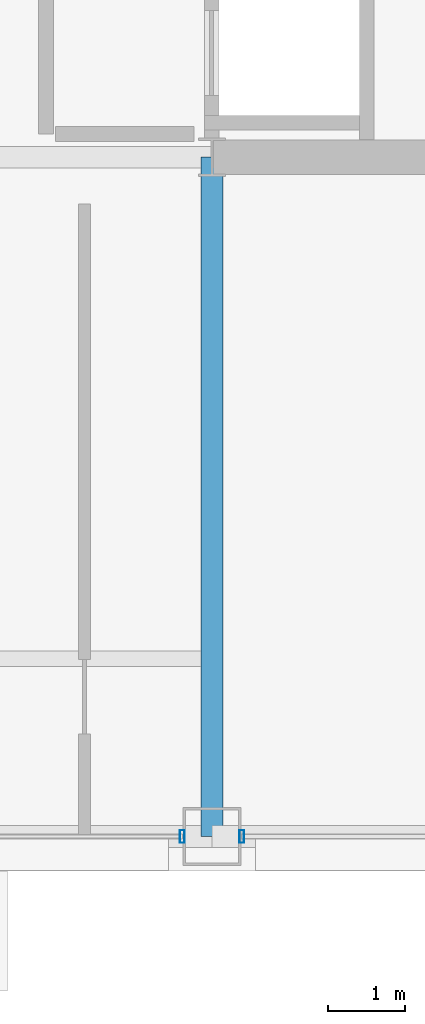
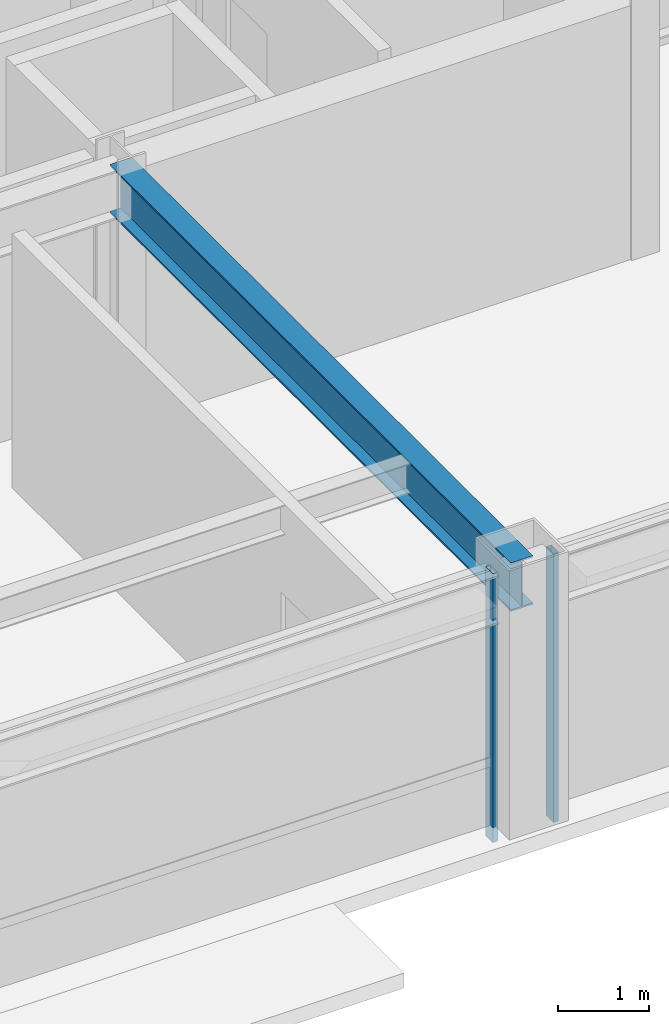
# One storey, part 6 of 26: 2 members, 1 beam, 2 elements without a shape of their own.
"""IFC4 building model written with IfcOpenShell, lengths in metres."""

from ifc_helpers import new_model, si_unit, direction, frame, origin, origin_2d, place, context, subcontext, project, spatial, hollow_rectangle, i_section, extrude, material, layer, layer_set, material_profile, profile_set, type_object, element, aggregate, save


model = new_model("IFC4")

# Units and contexts
model_context = context("Model", 3, precision=1e-05, world=origin(), true_north=direction((0.0, 1.0)))
body_context = subcontext(model_context, "Body", "Model", "MODEL_VIEW")
ifc_project = project(units=[si_unit("LENGTHUNIT", "METRE"), si_unit("AREAUNIT", "SQUARE_METRE"), si_unit("VOLUMEUNIT", "CUBIC_METRE"), si_unit("PLANEANGLEUNIT", "RADIAN"), si_unit("MASSUNIT", "GRAM", prefix="KILO")], contexts=[model_context])

# Site, building, storey
site_placement = place(None, origin())
site = spatial("IfcSite", under=ifc_project, at=site_placement, CompositionType="ELEMENT")
building_placement = place(site_placement, origin())
building = spatial("IfcBuilding", under=site, at=building_placement, Name="Brelmoor Portico Tower", CompositionType="ELEMENT")
storey_placement = place(building_placement, frame((0.0, 0.0, 180.300048828125)))
storey = spatial("IfcBuildingStorey", under=building, at=storey_placement, Name="L47", CompositionType="ELEMENT", Elevation=180.300048828125)

# Beam
ifc_material_1 = material(Name="Steel Q355B", Category="steel")
ifc_material_profile_1 = material_profile(ifc_material_1, i_section(OverallWidth=0.280029296875, OverallDepth=0.64990234375, WebThickness=0.012939453125, FlangeThickness=0.02197265625, at=origin_2d()), Name="HN 650x280x13x22")
ifc_profile_set_1 = profile_set([ifc_material_profile_1], Name="Steel Q355B")
beam_type = type_object("IfcBeamType", Name="BM-PG-650", PredefinedType="BEAM", material=ifc_profile_set_1)
beam_placement = place(storey_placement, frame((8.050048828125, -18.550048828125, 3.074951171875), z_axis=(0.0, 1.0, 0.0), x_axis=(-1.0, 0.0, 0.0)))
element("IfcBeam", 1, at=beam_placement, inside=storey, type_object=beam_type, Name="L47 Primary Floor Girder PG-06", PredefinedType="BEAM", context=body_context, shape_type="SweptSolid", body=[
    extrude(i_section(OverallWidth=0.280029296875, OverallDepth=0.64990234375, WebThickness=0.012939453125, FlangeThickness=0.02197265625, at=origin_2d()), origin(), (0.0, 0.0, 1.0), 8.800048828125),
])

# Curtain wall, member
ifc_material_2 = material(Name="Anodised Aluminium Alloy 6063-T6", Category="aluminium")
ifc_layer_1 = layer(ifc_material_2, 0.179931640625)
ifc_layer_set_1 = layer_set([ifc_layer_1], Name="Anodised Aluminium Alloy 6063-T6")
curtain_wall_type_1 = type_object("IfcCurtainWallType", Name="CW-TOWER-Z3", PredefinedType="NOTDEFINED", material=ifc_layer_set_1)
curtain_wall_1_placement = place(storey_placement, origin())
curtain_wall_1 = element("IfcCurtainWall", 2, at=curtain_wall_1_placement, inside=storey, type_object=curtain_wall_type_1, Name="L47 Curtain Wall CW-L47-01-2", PredefinedType="NOTDEFINED")
ifc_material_profile_2 = material_profile(ifc_material_2, hollow_rectangle(XDim=0.06494140625, YDim=0.1650390625, WallThickness=0.00390625, at=origin_2d()), Name="ALU MULLION 65x165")
ifc_profile_set_2 = profile_set([ifc_material_profile_2], Name="Anodised Aluminium Alloy 6063-T6")
member_type = type_object("IfcMemberType", Name="MB-CW-MULL-165", PredefinedType="MULLION", material=ifc_profile_set_2)
member_1_placement = place(storey_placement, frame((7.6650390625, -18.550048828125, -0.199951171875), z_axis=(0.0, 0.0, 1.0), x_axis=(1.0, 0.0, 0.0)))
member_1 = element("IfcMember", 3, at=member_1_placement, type_object=member_type, Name="CW-L47-01-2 Mullion 01", PredefinedType="MULLION", context=body_context, shape_type="SweptSolid", body=[
    extrude(hollow_rectangle(XDim=0.06494140625, YDim=0.1650390625, WallThickness=0.00390625, at=origin_2d()), origin(), (0.0, 0.0, 1.0), 3.599853515625),
])
aggregate(curtain_wall_1, [member_1])

ifc_layer_2 = layer(ifc_material_2, 0.179931640625)
ifc_layer_set_2 = layer_set([ifc_layer_2], Name="Anodised Aluminium Alloy 6063-T6")
curtain_wall_type_2 = type_object("IfcCurtainWallType", Name="CW-TOWER-Z3-XB", PredefinedType="NOTDEFINED", material=ifc_layer_set_2)
curtain_wall_2_placement = place(storey_placement, origin())
curtain_wall_2 = element("IfcCurtainWall", 4, at=curtain_wall_2_placement, inside=storey, type_object=curtain_wall_type_2, Name="L47 Curtain Wall CW-L47-01-3", PredefinedType="NOTDEFINED")
member_2_placement = place(storey_placement, frame((8.43505859375, -18.550048828125, -0.199951171875), z_axis=(0.0, 0.0, 1.0), x_axis=(1.0, 0.0, 0.0)))
member_2 = element("IfcMember", 5, at=member_2_placement, type_object=member_type, Name="CW-L47-01-3 Mullion 00", PredefinedType="MULLION", context=body_context, shape_type="SweptSolid", body=[
    extrude(hollow_rectangle(XDim=0.06494140625, YDim=0.1650390625, WallThickness=0.00390625, at=origin_2d()), origin(), (0.0, 0.0, 1.0), 3.599853515625),
])
aggregate(curtain_wall_2, [member_2])

save(model, "model.ifc")
